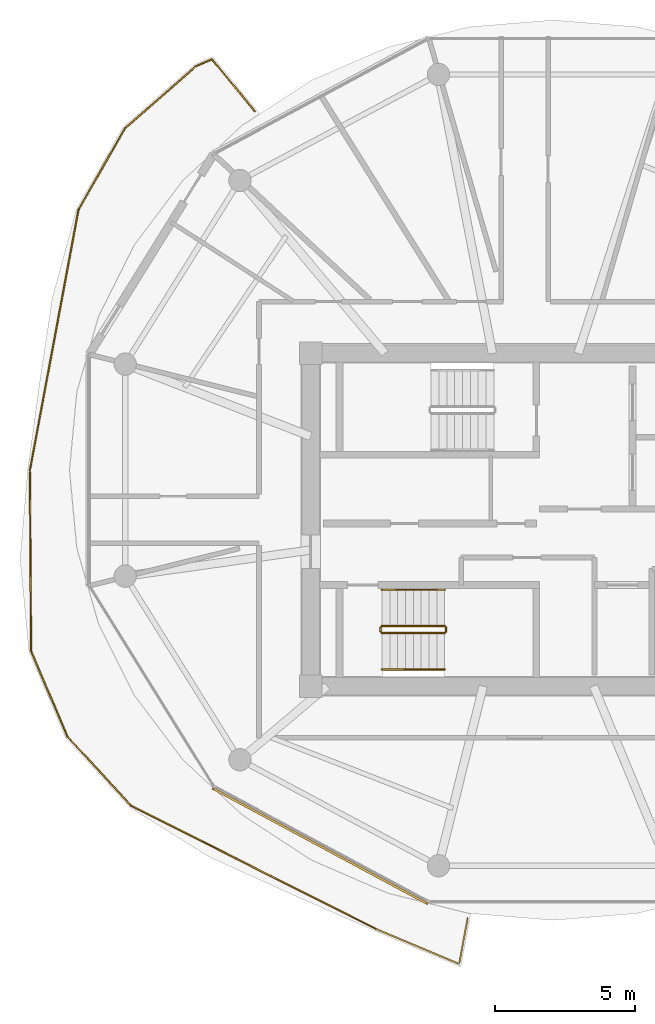
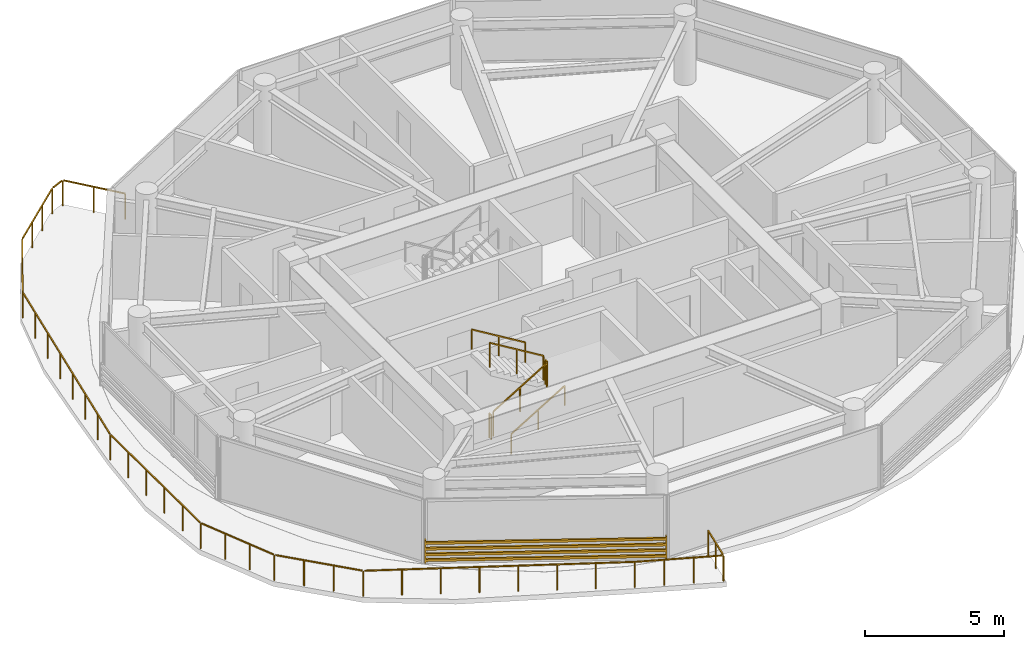
# One storey, part 19 of 23: 8 railings, 1 shading device.
"""IFC4 building model written with IfcOpenShell, lengths in metres."""

from ifc_helpers import new_model, si_unit, direction, frame, origin, origin_2d, place, context, subcontext, project, spatial, rectangle, extrude, source, transform, mapped, material, type_object, type_shapes, element, save


model = new_model("IFC4")

# Units and contexts
model_context = context("Model", 3, precision=1e-05, world=origin(), true_north=direction((0.0, 1.0)))
body_context = subcontext(model_context, "Body", "Model", "MODEL_VIEW")
ifc_project = project(units=[si_unit("LENGTHUNIT", "METRE"), si_unit("AREAUNIT", "SQUARE_METRE"), si_unit("VOLUMEUNIT", "CUBIC_METRE"), si_unit("PLANEANGLEUNIT", "RADIAN"), si_unit("MASSUNIT", "GRAM", prefix="KILO")], contexts=[model_context])

# Site, building, storey
site_placement = place(None, origin())
site = spatial("IfcSite", under=ifc_project, at=site_placement, CompositionType="ELEMENT")
building_placement = place(site_placement, origin())
building = spatial("IfcBuilding", under=site, at=building_placement, Name="Norrkilde Senior Care Towers", CompositionType="ELEMENT")
storey_placement = place(building_placement, frame((0.0, 0.0, 164.800048828125)))
storey = spatial("IfcBuildingStorey", under=building, at=storey_placement, Name="L51", CompositionType="ELEMENT", Elevation=164.800048828125)

# Railings
ifc_material_1 = material(Name="Anodised Aluminium", Category="aluminium")
railing_type_1 = type_object("IfcRailingType", Name="Balcony Swirl Ribbon Guardrail 1150", PredefinedType="GUARDRAIL", material=ifc_material_1)
railing_1_placement = place(storey_placement, frame((-33.318603515625, -14.633056640625, 0.0)))
element("IfcRailing", 1, at=railing_1_placement, inside=storey, type_object=railing_type_1, Name="L51 Perimeter Safety Guard 03", PredefinedType="GUARDRAIL", context=body_context, shape_type="SweptSolid", body=[
    extrude(rectangle(XDim=0.048095703125, YDim=0.048095703125, at=origin_2d()), frame((0.0, 0.0, 1.1259765625), z_axis=(-0.893213741209, 0.449632308132, 0.0), x_axis=(-0.449632308132, -0.893213741209, 0.0)), (0.0, 0.0, 1.0), 9.763671875),
    extrude(rectangle(XDim=0.048095703125, YDim=0.048095703125, at=origin_2d()), frame((-8.78515625, 4.4384765625, 1.1259765625), z_axis=(-0.677627004438, 0.735405767489, 0.0), x_axis=(-0.735405767489, -0.677627004438, 0.0)), (0.0, 0.0, 1.0), 3.273193359375),
    extrude(rectangle(XDim=0.048095703125, YDim=0.048095703125, at=origin_2d()), frame((-11.046875, 6.913330078125, 1.1259765625), z_axis=(-0.390478379386, 0.920612098135, 0.0), x_axis=(-0.920612098135, -0.390478379386, 0.0)), (0.0, 0.0, 1.0), 3.251953125),
    extrude(rectangle(XDim=0.048095703125, YDim=0.048095703125, at=origin_2d()), frame((-12.3330078125, 9.985595703125, 1.1259765625), z_axis=(-0.006505403397, 0.999978839639, 0.0), x_axis=(-0.999978839639, -0.006505403397, 0.0)), (0.0, 0.0, 1.0), 6.373291015625),
    extrude(rectangle(XDim=0.048095703125, YDim=0.048095703125, at=origin_2d()), frame((-12.3671875, 16.43994140625, 1.1259765625), z_axis=(0.183330120415, 0.983051406056, 0.0), x_axis=(-0.983051406056, 0.183330120415, 0.0)), (0.0, 0.0, 1.0), 9.393310546875),
    extrude(rectangle(XDim=0.048095703125, YDim=0.048095703125, at=origin_2d()), frame((-10.617431640625, 25.74951171875, 1.1259765625), z_axis=(0.49504093983, 0.86886964954, 0.0), x_axis=(-0.86886964954, 0.49504093983, 0.0)), (0.0, 0.0, 1.0), 3.271728515625),
    extrude(rectangle(XDim=0.048095703125, YDim=0.048095703125, at=origin_2d()), frame((-8.94677734375, 28.65478515625, 1.1259765625), z_axis=(0.752075137513, 0.659077375985, 0.0), x_axis=(-0.659077375985, 0.752075137513, 0.0)), (0.0, 0.0, 1.0), 3.296875),
    extrude(rectangle(XDim=0.048095703125, YDim=0.048095703125, at=origin_2d()), frame((-6.399169921875, 30.87109375, 1.1259765625), z_axis=(0.915851395105, 0.401517399479, 0.0), x_axis=(-0.401517399479, 0.915851395105, 0.0)), (0.0, 0.0, 1.0), 0.54150390625),
    extrude(rectangle(XDim=0.048095703125, YDim=0.048095703125, at=origin_2d()), frame((-5.83984375, 31.073486328125, 1.1259765625), z_axis=(0.635788932786, -0.771862962544, 0.0), x_axis=(0.771862962544, 0.635788932786, 0.0)), (0.0, 0.0, 1.0), 2.36865234375),
    extrude(rectangle(XDim=0.0419921875, YDim=0.0419921875, at=origin_2d()), origin(), (0.0, 0.0, 1.0), 1.099853515625),
    extrude(rectangle(XDim=0.0419921875, YDim=0.0419921875, at=origin_2d()), frame((-1.2509765625, 0.6298828125, 0.0)), (0.0, 0.0, 1.0), 1.099853515625),
    extrude(rectangle(XDim=0.0419921875, YDim=0.0419921875, at=origin_2d()), frame((-2.502197265625, 1.259521484375, 0.0)), (0.0, 0.0, 1.0), 1.099853515625),
    extrude(rectangle(XDim=0.0419921875, YDim=0.0419921875, at=origin_2d()), frame((-3.753173828125, 1.889404296875, 0.0)), (0.0, 0.0, 1.0), 1.099853515625),
    extrude(rectangle(XDim=0.0419921875, YDim=0.0419921875, at=origin_2d()), frame((-5.00439453125, 2.51904296875, 0.0)), (0.0, 0.0, 1.0), 1.099853515625),
    extrude(rectangle(XDim=0.0419921875, YDim=0.0419921875, at=origin_2d()), frame((-6.25537109375, 3.14892578125, 0.0)), (0.0, 0.0, 1.0), 1.099853515625),
    extrude(rectangle(XDim=0.0419921875, YDim=0.0419921875, at=origin_2d()), frame((-7.506591796875, 3.778564453125, 0.0)), (0.0, 0.0, 1.0), 1.099853515625),
    extrude(rectangle(XDim=0.0419921875, YDim=0.0419921875, at=origin_2d()), frame((-8.757568359375, 4.408447265625, 0.0)), (0.0, 0.0, 1.0), 1.099853515625),
    extrude(rectangle(XDim=0.0419921875, YDim=0.0419921875, at=origin_2d()), frame((-9.515380859375, 5.23095703125, 0.0)), (0.0, 0.0, 1.0), 1.099853515625),
    extrude(rectangle(XDim=0.0419921875, YDim=0.0419921875, at=origin_2d()), frame((-10.273193359375, 6.05322265625, 0.0)), (0.0, 0.0, 1.0), 1.099853515625),
    extrude(rectangle(XDim=0.0419921875, YDim=0.0419921875, at=origin_2d()), frame((-11.031005859375, 6.875732421875, 0.0)), (0.0, 0.0, 1.0), 1.099853515625),
    extrude(rectangle(XDim=0.0419921875, YDim=0.0419921875, at=origin_2d()), frame((-11.46484375, 7.898681640625, 0.0)), (0.0, 0.0, 1.0), 1.099853515625),
    extrude(rectangle(XDim=0.0419921875, YDim=0.0419921875, at=origin_2d()), frame((-11.89892578125, 8.921875, 0.0)), (0.0, 0.0, 1.0), 1.099853515625),
    extrude(rectangle(XDim=0.0419921875, YDim=0.0419921875, at=origin_2d()), frame((-12.332763671875, 9.94482421875, 0.0)), (0.0, 0.0, 1.0), 1.099853515625),
    extrude(rectangle(XDim=0.0419921875, YDim=0.0419921875, at=origin_2d()), frame((-12.341064453125, 11.23583984375, 0.0)), (0.0, 0.0, 1.0), 1.099853515625),
    extrude(rectangle(XDim=0.0419921875, YDim=0.0419921875, at=origin_2d()), frame((-12.349609375, 12.52685546875, 0.0)), (0.0, 0.0, 1.0), 1.099853515625),
    extrude(rectangle(XDim=0.0419921875, YDim=0.0419921875, at=origin_2d()), frame((-12.35791015625, 13.817626953125, 0.0)), (0.0, 0.0, 1.0), 1.099853515625),
    extrude(rectangle(XDim=0.0419921875, YDim=0.0419921875, at=origin_2d()), frame((-12.366455078125, 15.108642578125, 0.0)), (0.0, 0.0, 1.0), 1.099853515625),
    extrude(rectangle(XDim=0.0419921875, YDim=0.0419921875, at=origin_2d()), frame((-12.374755859375, 16.399658203125, 0.0)), (0.0, 0.0, 1.0), 1.099853515625),
    extrude(rectangle(XDim=0.0419921875, YDim=0.0419921875, at=origin_2d()), frame((-12.126708984375, 17.730224609375, 0.0)), (0.0, 0.0, 1.0), 1.099853515625),
    extrude(rectangle(XDim=0.0419921875, YDim=0.0419921875, at=origin_2d()), frame((-11.87841796875, 19.06103515625, 0.0)), (0.0, 0.0, 1.0), 1.099853515625),
    extrude(rectangle(XDim=0.0419921875, YDim=0.0419921875, at=origin_2d()), frame((-11.63037109375, 20.3916015625, 0.0)), (0.0, 0.0, 1.0), 1.099853515625),
    extrude(rectangle(XDim=0.0419921875, YDim=0.0419921875, at=origin_2d()), frame((-11.382080078125, 21.72216796875, 0.0)), (0.0, 0.0, 1.0), 1.099853515625),
    extrude(rectangle(XDim=0.0419921875, YDim=0.0419921875, at=origin_2d()), frame((-11.134033203125, 23.052734375, 0.0)), (0.0, 0.0, 1.0), 1.099853515625),
    extrude(rectangle(XDim=0.0419921875, YDim=0.0419921875, at=origin_2d()), frame((-10.8857421875, 24.383544921875, 0.0)), (0.0, 0.0, 1.0), 1.099853515625),
    extrude(rectangle(XDim=0.0419921875, YDim=0.0419921875, at=origin_2d()), frame((-10.6376953125, 25.714111328125, 0.0)), (0.0, 0.0, 1.0), 1.099853515625),
    extrude(rectangle(XDim=0.0419921875, YDim=0.0419921875, at=origin_2d()), frame((-10.084228515625, 26.685302734375, 0.0)), (0.0, 0.0, 1.0), 1.099853515625),
    extrude(rectangle(XDim=0.0419921875, YDim=0.0419921875, at=origin_2d()), frame((-9.531005859375, 27.65673828125, 0.0)), (0.0, 0.0, 1.0), 1.099853515625),
    extrude(rectangle(XDim=0.0419921875, YDim=0.0419921875, at=origin_2d()), frame((-8.9775390625, 28.6279296875, 0.0)), (0.0, 0.0, 1.0), 1.099853515625),
    extrude(rectangle(XDim=0.0419921875, YDim=0.0419921875, at=origin_2d()), frame((-8.130615234375, 29.3701171875, 0.0)), (0.0, 0.0, 1.0), 1.099853515625),
    extrude(rectangle(XDim=0.0419921875, YDim=0.0419921875, at=origin_2d()), frame((-7.283447265625, 30.112548828125, 0.0)), (0.0, 0.0, 1.0), 1.099853515625),
    extrude(rectangle(XDim=0.0419921875, YDim=0.0419921875, at=origin_2d()), frame((-6.4365234375, 30.854736328125, 0.0)), (0.0, 0.0, 1.0), 1.099853515625),
    extrude(rectangle(XDim=0.0419921875, YDim=0.0419921875, at=origin_2d()), frame((-5.86572265625, 31.10498046875, 0.0)), (0.0, 0.0, 1.0), 1.099853515625),
    extrude(rectangle(XDim=0.0419921875, YDim=0.0419921875, at=origin_2d()), frame((-5.099609375, 30.175048828125, 0.0)), (0.0, 0.0, 1.0), 1.099853515625),
    extrude(rectangle(XDim=0.0419921875, YDim=0.0419921875, at=origin_2d()), frame((-4.333740234375, 29.2451171875, 0.0)), (0.0, 0.0, 1.0), 1.099853515625),
])
railing_2_placement = place(storey_placement, frame((-30.035888671875, -14.25146484375, 0.0)))
element("IfcRailing", 2, at=railing_2_placement, inside=storey, type_object=railing_type_1, Name="L51 Perimeter Safety Guard 04", PredefinedType="GUARDRAIL", context=body_context, shape_type="SweptSolid", body=[
    extrude(rectangle(XDim=0.048095703125, YDim=0.048095703125, at=origin_2d()), frame((0.0, 0.0, 1.1259765625), z_axis=(-0.182736217037, -0.983161977999, 0.0), x_axis=(0.983161977999, -0.182736217037, 0.0)), (0.0, 0.0, 1.0), 1.62109375),
    extrude(rectangle(XDim=0.048095703125, YDim=0.048095703125, at=origin_2d()), frame((-0.34130859375, -1.6181640625, 1.1259765625), z_axis=(-0.921842868292, 0.387563834973, 0.0), x_axis=(-0.387563834973, -0.921842868292, 0.0)), (0.0, 0.0, 1.0), 3.190673828125),
    extrude(rectangle(XDim=0.0419921875, YDim=0.0419921875, at=origin_2d()), origin(), (0.0, 0.0, 1.0), 1.099853515625),
    extrude(rectangle(XDim=0.0419921875, YDim=0.0419921875, at=origin_2d()), frame((-0.15185546875, -0.81689453125, 0.0)), (0.0, 0.0, 1.0), 1.099853515625),
    extrude(rectangle(XDim=0.0419921875, YDim=0.0419921875, at=origin_2d()), frame((-0.3037109375, -1.634033203125, 0.0)), (0.0, 0.0, 1.0), 1.099853515625),
    extrude(rectangle(XDim=0.0419921875, YDim=0.0419921875, at=origin_2d()), frame((-1.296630859375, -1.216552734375, 0.0)), (0.0, 0.0, 1.0), 1.099853515625),
    extrude(rectangle(XDim=0.0419921875, YDim=0.0419921875, at=origin_2d()), frame((-2.289794921875, -0.799072265625, 0.0)), (0.0, 0.0, 1.0), 1.099853515625),
    extrude(rectangle(XDim=0.0419921875, YDim=0.0419921875, at=origin_2d()), frame((-3.28271484375, -0.381591796875, 0.0)), (0.0, 0.0, 1.0), 1.099853515625),
])
ifc_material_2 = material(Name="Stainless Steel", Category="steel")
railing_type_2 = type_object("IfcRailingType", Name="Stair and Terrace Guardrail 1100", PredefinedType="GUARDRAIL", material=ifc_material_2)
railing_3_placement = place(storey_placement, frame((-33.10009765625, -4.050048828125, 0.16943359375)))
element("IfcRailing", 3, at=railing_3_placement, inside=storey, type_object=railing_type_2, Name="L51 ST-W2 stair guard 1", PredefinedType="GUARDRAIL", context=body_context, shape_type="SweptSolid", body=[
    extrude(rectangle(XDim=0.048095703125, YDim=0.048095703125, at=origin_2d()), frame((0.0, 0.0, 1.076171875), z_axis=(0.855553338991, 0.0, 0.51771467445), x_axis=(0.0, 1.0, 0.0)), (0.0, 0.0, 1.0), 2.6181640625),
    extrude(rectangle(XDim=0.0419921875, YDim=0.0419921875, at=origin_2d()), origin(), (0.0, 0.0, 1.0), 1.050048828125),
    extrude(rectangle(XDim=0.0419921875, YDim=0.0419921875, at=origin_2d()), frame((1.1201171875, 0.0, 0.677734375)), (0.0, 0.0, 1.0), 1.050048828125),
    extrude(rectangle(XDim=0.0419921875, YDim=0.0419921875, at=origin_2d()), frame((2.239990234375, 0.0, 1.35546875)), (0.0, 0.0, 1.0), 1.050048828125),
])
railing_4_placement = place(storey_placement, frame((-30.81005859375, -4.0, 1.52490234375)))
element("IfcRailing", 4, at=railing_4_placement, inside=storey, type_object=railing_type_2, Name="L51 ST-W2 stair guard 2", PredefinedType="GUARDRAIL", context=body_context, shape_type="SweptSolid", body=[
    extrude(rectangle(XDim=0.048095703125, YDim=0.048095703125, at=origin_2d()), frame((0.0, 0.0, 1.076171875), z_axis=(0.0, 1.0, 0.0), x_axis=(-1.0, 0.0, 0.0)), (0.0, 0.0, 1.0), 0.14990234375),
    extrude(rectangle(XDim=0.0419921875, YDim=0.0419921875, at=origin_2d()), origin(), (0.0, 0.0, 1.0), 1.050048828125),
    extrude(rectangle(XDim=0.0419921875, YDim=0.0419921875, at=origin_2d()), frame((0.0, 0.14990234375, 0.0)), (0.0, 0.0, 1.0), 1.050048828125),
])
railing_5_placement = place(storey_placement, frame((-30.860107421875, -3.800048828125, 1.6943359375)))
element("IfcRailing", 5, at=railing_5_placement, inside=storey, type_object=railing_type_2, Name="L51 ST-W2 stair guard 3", PredefinedType="GUARDRAIL", context=body_context, shape_type="SweptSolid", body=[
    extrude(rectangle(XDim=0.048095703125, YDim=0.048095703125, at=origin_2d()), frame((0.0, 0.0, 1.076171875), z_axis=(-0.855512035549, 0.0, 0.517782924622), x_axis=(0.0, -1.0, 0.0)), (0.0, 0.0, 1.0), 2.618408203125),
    extrude(rectangle(XDim=0.0419921875, YDim=0.0419921875, at=origin_2d()), origin(), (0.0, 0.0, 1.0), 1.050048828125),
    extrude(rectangle(XDim=0.0419921875, YDim=0.0419921875, at=origin_2d()), frame((-1.1201171875, 0.0, 0.677734375)), (0.0, 0.0, 1.0), 1.050048828125),
    extrude(rectangle(XDim=0.0419921875, YDim=0.0419921875, at=origin_2d()), frame((-2.239990234375, 0.0, 1.355712890625)), (0.0, 0.0, 1.0), 1.050048828125),
])
railing_6_placement = place(storey_placement, frame((-33.14990234375, -4.0, 0.0)))
element("IfcRailing", 6, at=railing_6_placement, inside=storey, type_object=railing_type_2, Name="L51 ST-W2 stair guard 4", PredefinedType="GUARDRAIL", context=body_context, shape_type="SweptSolid", body=[
    extrude(rectangle(XDim=0.048095703125, YDim=0.048095703125, at=origin_2d()), frame((0.0, 0.0, 1.076171875), z_axis=(0.0, 1.0, 0.0), x_axis=(-1.0, 0.0, 0.0)), (0.0, 0.0, 1.0), 0.14990234375),
    extrude(rectangle(XDim=0.0419921875, YDim=0.0419921875, at=origin_2d()), origin(), (0.0, 0.0, 1.0), 1.050048828125),
    extrude(rectangle(XDim=0.0419921875, YDim=0.0419921875, at=origin_2d()), frame((0.0, 0.14990234375, 0.0)), (0.0, 0.0, 1.0), 1.050048828125),
])
ifc_material_3 = material(Name="Nordic Ash Timber", Category="wood")
railing_type_3 = type_object("IfcRailingType", Name="Wall and Stair Handrail 900", PredefinedType="HANDRAIL", material=ifc_material_3)
railing_7_placement = place(storey_placement, frame((-33.10009765625, -5.35009765625, 0.16943359375)))
element("IfcRailing", 7, at=railing_7_placement, inside=storey, type_object=railing_type_3, Name="L51 ST-W2 stair handrail 1", PredefinedType="HANDRAIL", context=body_context, shape_type="SweptSolid", body=[
    extrude(rectangle(XDim=0.048095703125, YDim=0.048095703125, at=origin_2d()), frame((0.0, 0.0, 0.8759765625), z_axis=(0.855553338991, 0.0, 0.51771467445), x_axis=(0.0, 1.0, 0.0)), (0.0, 0.0, 1.0), 2.6181640625),
    extrude(rectangle(XDim=0.0419921875, YDim=0.0419921875, at=origin_2d()), origin(), (0.0, 0.0, 1.0), 0.849853515625),
    extrude(rectangle(XDim=0.0419921875, YDim=0.0419921875, at=origin_2d()), frame((1.1201171875, 0.0, 0.677734375)), (0.0, 0.0, 1.0), 0.849853515625),
    extrude(rectangle(XDim=0.0419921875, YDim=0.0419921875, at=origin_2d()), frame((2.239990234375, 0.0, 1.35546875)), (0.0, 0.0, 1.0), 0.849853515625),
])
railing_8_placement = place(storey_placement, frame((-30.860107421875, -2.5, 1.6943359375)))
element("IfcRailing", 8, at=railing_8_placement, inside=storey, type_object=railing_type_3, Name="L51 ST-W2 stair handrail 2", PredefinedType="HANDRAIL", context=body_context, shape_type="SweptSolid", body=[
    extrude(rectangle(XDim=0.048095703125, YDim=0.048095703125, at=origin_2d()), frame((0.0, 0.0, 0.8759765625), z_axis=(-0.855512035549, 0.0, 0.517782924622), x_axis=(0.0, -1.0, 0.0)), (0.0, 0.0, 1.0), 2.618408203125),
    extrude(rectangle(XDim=0.0419921875, YDim=0.0419921875, at=origin_2d()), origin(), (0.0, 0.0, 1.0), 0.849853515625),
    extrude(rectangle(XDim=0.0419921875, YDim=0.0419921875, at=origin_2d()), frame((-1.1201171875, 0.0, 0.677734375)), (0.0, 0.0, 1.0), 0.849853515625),
    extrude(rectangle(XDim=0.0419921875, YDim=0.0419921875, at=origin_2d()), frame((-2.239990234375, 0.0, 1.355712890625)), (0.0, 0.0, 1.0), 0.849853515625),
])

# Shading device
ifc_material_4 = material(Name="Architectural Terracotta", Category="masonry")
shading_device_type = type_object("IfcShadingDeviceType", Name="Horizontal Terracotta Baguette Rack", PredefinedType="USERDEFINED", material=ifc_material_4)
shared_shape = source(origin(), body_context, "Body", "SweptSolid", [
    extrude(rectangle(XDim=0.070068359375, YDim=0.110107421875, at=origin_2d()), frame((0.0, 0.090087890625, 0.125), z_axis=(1.0, 0.0, 0.0), x_axis=(0.0, 1.0, 0.0)), (0.0, 0.0, 1.0), 8.74169921875),
    extrude(rectangle(XDim=0.070068359375, YDim=0.110107421875, at=origin_2d()), frame((0.0, 0.090087890625, 0.375), z_axis=(1.0, 0.0, 0.0), x_axis=(0.0, 1.0, 0.0)), (0.0, 0.0, 1.0), 8.74169921875),
    extrude(rectangle(XDim=0.070068359375, YDim=0.110107421875, at=origin_2d()), frame((0.0, 0.090087890625, 0.625), z_axis=(1.0, 0.0, 0.0), x_axis=(0.0, 1.0, 0.0)), (0.0, 0.0, 1.0), 8.74169921875),
    extrude(rectangle(XDim=0.070068359375, YDim=0.110107421875, at=origin_2d()), frame((0.0, 0.090087890625, 0.875), z_axis=(1.0, 0.0, 0.0), x_axis=(0.0, 1.0, 0.0)), (0.0, 0.0, 1.0), 8.74169921875),
    extrude(rectangle(XDim=0.050048828125, YDim=0.1552734375, at=origin_2d()), frame((0.02490234375, 0.047607421875, 0.0)), (0.0, 0.0, 1.0), 1.0),
    extrude(rectangle(XDim=0.050048828125, YDim=0.1552734375, at=origin_2d()), frame((8.716796875, 0.047607421875, 0.0)), (0.0, 0.0, 1.0), 1.0),
])
type_shapes(shading_device_type, [shared_shape])
shading_device_placement = place(storey_placement, frame((-31.421630859375, -13.66015625, 0.079833984375), z_axis=(0.0, 0.0, 1.0), x_axis=(-0.880997598168, 0.47313299447, 0.0)))
element("IfcShadingDevice", 9, at=shading_device_placement, inside=storey, type_object=shading_device_type, Name="L51 Drum W Terracotta Baguette Screen 07", ObjectType="BAGUETTE", PredefinedType="USERDEFINED", context=body_context, shape_type="MappedRepresentation", body=[
    mapped(shared_shape, transform((0.0, 0.0, 0.0), x_axis=(1.0, 0.0, 0.0), y_axis=(0.0, 1.0, 0.0), z_axis=(0.0, 0.0, 1.0), scale=1.0)),
])

save(model, "model.ifc")
